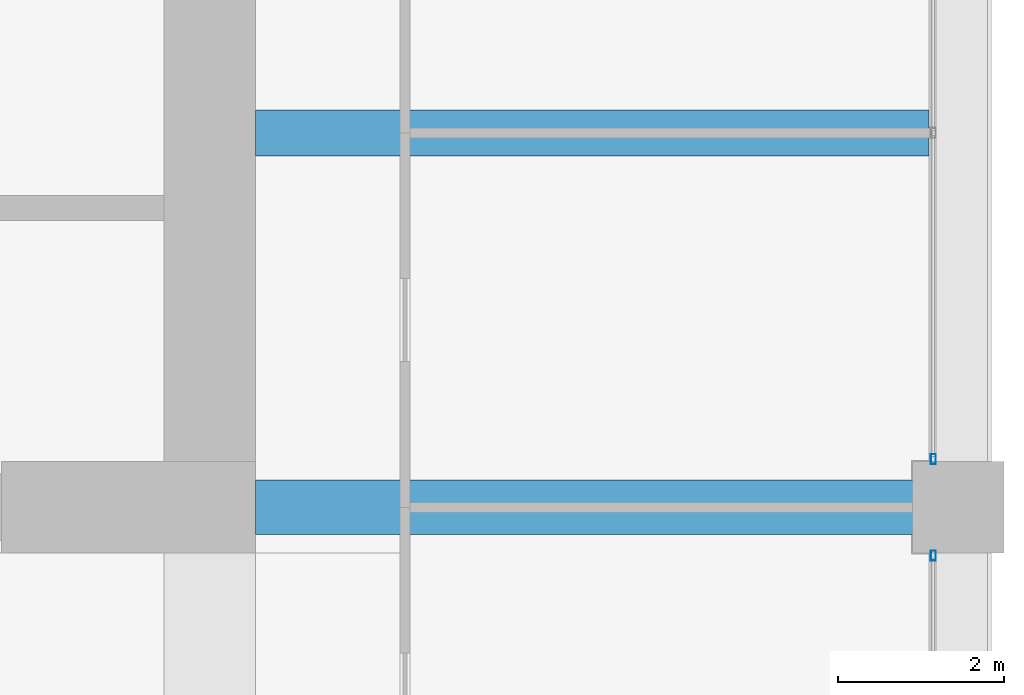
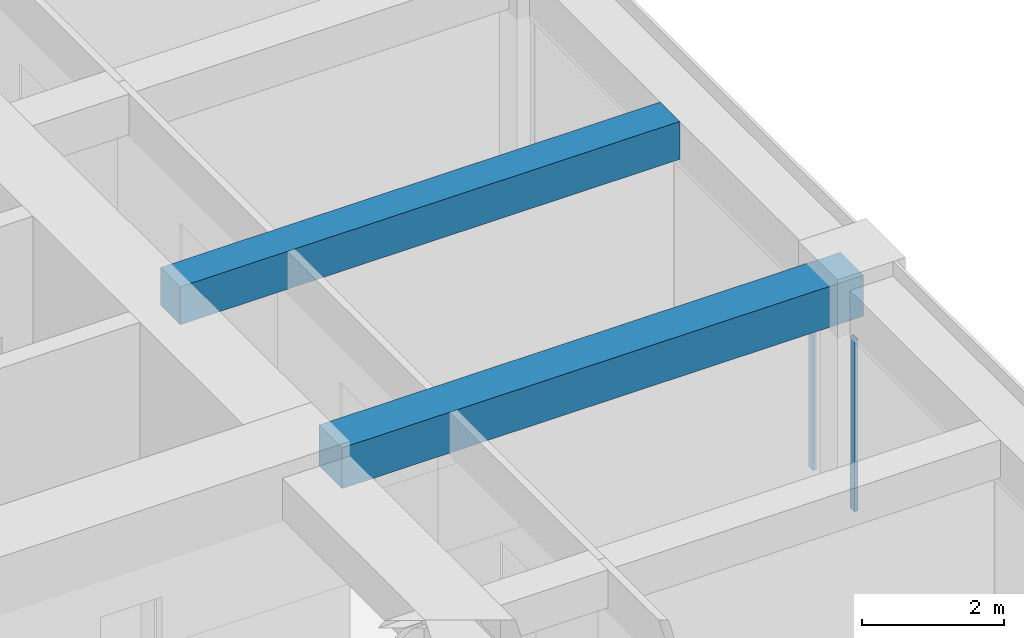
# One storey, part 24 of 45: 2 beams, 2 members, 2 elements without a shape of their own.
"""IFC4 building model written with IfcOpenShell, lengths in metres."""

from ifc_helpers import new_model, si_unit, direction, frame, origin, origin_2d, place, context, subcontext, project, spatial, rectangle, hollow_rectangle, extrude, material, material_profile, profile_set, type_object, element, aggregate, save


model = new_model("IFC4")

# Units and contexts
model_context = context("Model", 3, precision=1e-05, world=origin(), true_north=direction((0.0, 1.0)))
body_context = subcontext(model_context, "Body", "Model", "MODEL_VIEW")
ifc_project = project(units=[si_unit("LENGTHUNIT", "METRE"), si_unit("AREAUNIT", "SQUARE_METRE"), si_unit("VOLUMEUNIT", "CUBIC_METRE"), si_unit("PLANEANGLEUNIT", "RADIAN"), si_unit("MASSUNIT", "GRAM", prefix="KILO")], contexts=[model_context])

# Site, building, storey
site_placement = place(None, origin())
site = spatial("IfcSite", under=ifc_project, at=site_placement, CompositionType="ELEMENT")
building_placement = place(site_placement, origin())
building = spatial("IfcBuilding", under=site, at=building_placement, Name="Zorevar Civic Tower", CompositionType="ELEMENT")
storey_placement = place(building_placement, frame((0.0, 0.0, 279.39990234375)))
storey = spatial("IfcBuildingStorey", under=building, at=storey_placement, Name="L68", CompositionType="ELEMENT", Elevation=279.39990234375)

# Beams
ifc_material_1 = material(Name="Concrete C50/60", Category="concrete")
ifc_material_profile_1 = material_profile(ifc_material_1, rectangle(XDim=0.550048828125, YDim=0.64990234375, at=origin_2d()), Name="RC 550x650")
ifc_profile_set_1 = profile_set([ifc_material_profile_1], Name="Concrete C50/60")
beam_type_1 = type_object("IfcBeamType", Name="Beam RC 550x650", PredefinedType="BEAM", material=ifc_profile_set_1)
beam_1_placement = place(storey_placement, frame((45.550048828125, 22.5, 3.425048828125), z_axis=(1.0, 0.0, 0.0), x_axis=(0.0, 1.0, 0.0)))
element("IfcBeam", 1, at=beam_1_placement, inside=storey, type_object=beam_type_1, Name="Secondary beam L69", PredefinedType="BEAM", context=body_context, shape_type="SweptSolid", body=[
    extrude(rectangle(XDim=0.550048828125, YDim=0.64990234375, at=origin_2d()), origin(), (0.0, 0.0, 1.0), 8.099853515625),
])
ifc_material_2 = material(Name="Concrete C50/60", Category="concrete")
ifc_material_profile_2 = material_profile(ifc_material_2, rectangle(XDim=0.64990234375, YDim=0.699951171875, at=origin_2d()), Name="RC 650x700")
ifc_profile_set_2 = profile_set([ifc_material_profile_2], Name="Concrete C50/60")
beam_type_2 = type_object("IfcBeamType", Name="Beam RC 650x700", PredefinedType="BEAM", material=ifc_profile_set_2)
beam_2_placement = place(storey_placement, frame((45.550048828125, 18.0, 3.400146484375), z_axis=(1.0, 0.0, 0.0), x_axis=(0.0, 1.0, 0.0)))
element("IfcBeam", 2, at=beam_2_placement, inside=storey, type_object=beam_type_2, Name="Girder L69", PredefinedType="BEAM", context=body_context, shape_type="SweptSolid", body=[
    extrude(rectangle(XDim=0.64990234375, YDim=0.699951171875, at=origin_2d()), origin(), (0.0, 0.0, 1.0), 8.449951171875),
])

# Curtain wall, member
ifc_material_3 = material(Name="Dark grey solar-control glass in black aluminium frame", Category="aluminium")
curtain_wall_type = type_object("IfcCurtainWallType", Name="Curtain wall CW5 top zone", PredefinedType="NOTDEFINED", material=ifc_material_3)
curtain_wall_1_placement = place(storey_placement, origin())
curtain_wall_1 = element("IfcCurtainWall", 3, at=curtain_wall_1_placement, inside=storey, type_object=curtain_wall_type, Name="CW5 L68", PredefinedType="NOTDEFINED")
ifc_material_4 = material(Name="Aluminium, black anodised", Category="aluminium")
ifc_material_profile_3 = material_profile(ifc_material_4, hollow_rectangle(XDim=0.06005859375, YDim=0.1201171875, WallThickness=0.0029296875, at=origin_2d()), Name="AL 120x60x3")
ifc_profile_set_3 = profile_set([ifc_material_profile_3], Name="Aluminium, black anodised")
member_type = type_object("IfcMemberType", Name="CW5 mullion AL 120x60x3", PredefinedType="MULLION", material=ifc_profile_set_3)
member_1_placement = place(storey_placement, frame((53.699951171875, 17.419921875, 0.0), z_axis=(0.0, 0.0, 1.0), x_axis=(-1.0, 0.0, 0.0)))
member_1 = element("IfcMember", 4, at=member_1_placement, type_object=member_type, Name="CW5 mullion 3", PredefinedType="MULLION", context=body_context, shape_type="SweptSolid", body=[
    extrude(hollow_rectangle(XDim=0.06005859375, YDim=0.1201171875, WallThickness=0.0029296875, at=origin_2d()), origin(), (0.0, 0.0, 1.0), 2.9501953125),
])
aggregate(curtain_wall_1, [member_1])

curtain_wall_2_placement = place(storey_placement, origin())
curtain_wall_2 = element("IfcCurtainWall", 5, at=curtain_wall_2_placement, inside=storey, type_object=curtain_wall_type, Name="CW5 L68", PredefinedType="NOTDEFINED")
member_2_placement = place(storey_placement, frame((53.699951171875, 18.580078125, 0.0), z_axis=(0.0, 0.0, 1.0), x_axis=(-1.0, 0.0, 0.0)))
member_2 = element("IfcMember", 6, at=member_2_placement, type_object=member_type, Name="CW5 mullion 1", PredefinedType="MULLION", context=body_context, shape_type="SweptSolid", body=[
    extrude(hollow_rectangle(XDim=0.06005859375, YDim=0.1201171875, WallThickness=0.0029296875, at=origin_2d()), origin(), (0.0, 0.0, 1.0), 2.9501953125),
])
aggregate(curtain_wall_2, [member_2])

save(model, "model.ifc")
